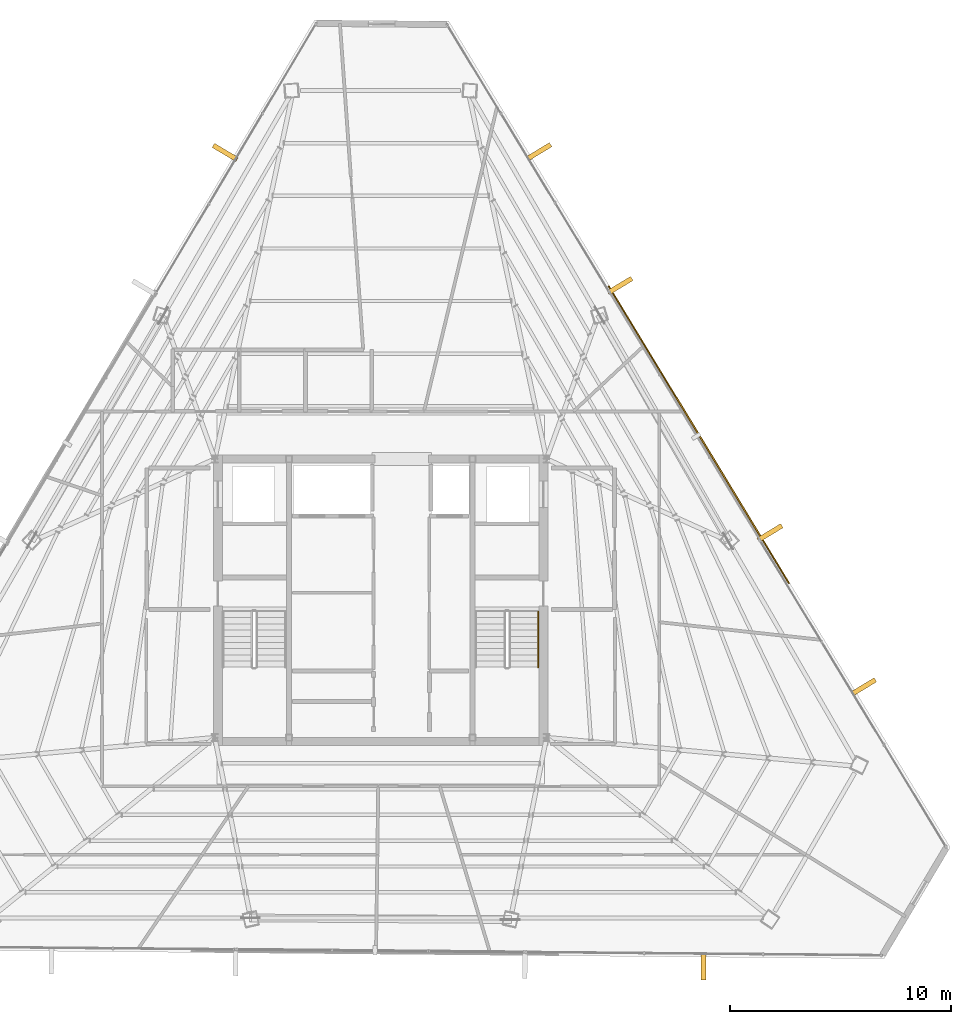
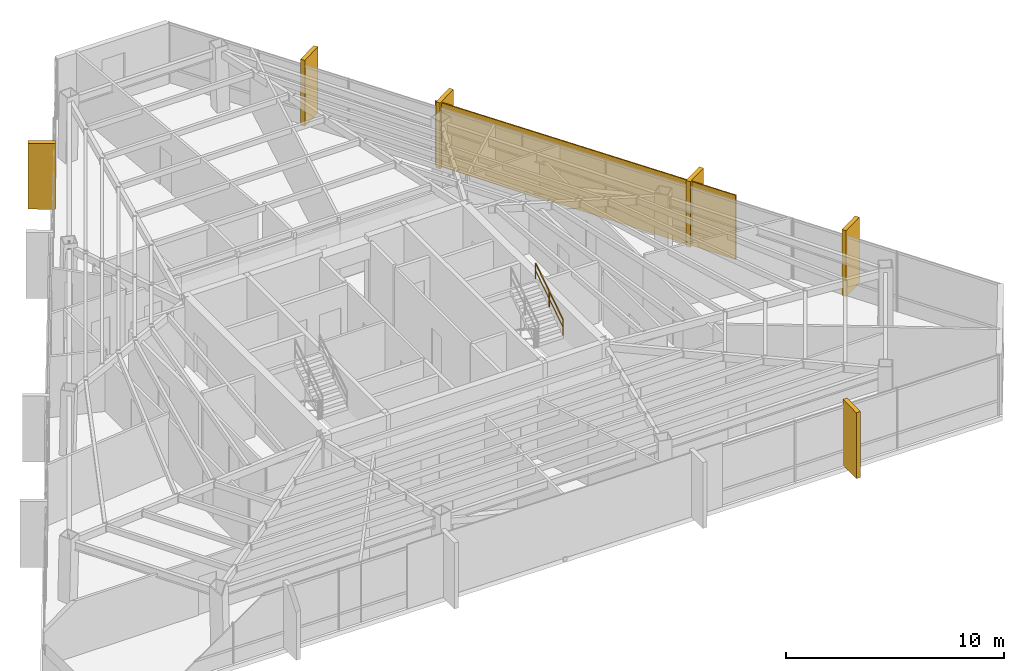
# One storey, part 47 of 47: 6 coverings, 1 railing, 1 shading device.
"""IFC4 building model written with IfcOpenShell, lengths in metres."""

from ifc_helpers import new_model, si_unit, direction, frame, origin, origin_2d, place, context, subcontext, project, spatial, rectangle, extrude, source, transform, mapped, material, layer, layer_set, type_object, type_shapes, element, save


model = new_model("IFC4")

# Units and contexts
model_context = context("Model", 3, precision=1e-05, world=origin(), true_north=direction((0.0, 1.0)))
body_context = subcontext(model_context, "Body", "Model", "MODEL_VIEW")
ifc_project = project(units=[si_unit("LENGTHUNIT", "METRE"), si_unit("AREAUNIT", "SQUARE_METRE"), si_unit("VOLUMEUNIT", "CUBIC_METRE"), si_unit("PLANEANGLEUNIT", "RADIAN"), si_unit("MASSUNIT", "GRAM", prefix="KILO")], contexts=[model_context])

# Site, building, storey
site_placement = place(None, origin())
site = spatial("IfcSite", under=ifc_project, at=site_placement, CompositionType="ELEMENT")
building_placement = place(site_placement, origin())
building = spatial("IfcBuilding", under=site, at=building_placement, Name="Caelisora Broadcast Tower", CompositionType="ELEMENT")
storey_placement = place(building_placement, frame((0.0, 0.0, 248.10009765625)))
storey = spatial("IfcBuildingStorey", under=building, at=storey_placement, Name="L65", CompositionType="ELEMENT", Elevation=248.10009765625)

# Railing
ifc_material_1 = material(Name="Stainless Steel Grade 316 Tubular Handrail", Category="steel")
ifc_layer_1 = layer(ifc_material_1, 0.048095703125, Name="Stainless Steel Grade 316 Tubular Handrail")
ifc_layer_set_1 = layer_set([ifc_layer_1], Name="Stainless Steel Grade 316 Tubular Handrail")
railing_type = type_object("IfcRailingType", Name="HR-1", PredefinedType="HANDRAIL", material=ifc_layer_set_1)
railing_placement = place(storey_placement, frame((45.1298828125, 20.580078125, 2.00732421875)))
element("IfcRailing", 1, at=railing_placement, inside=storey, type_object=railing_type, Name="L65 ST-2 stair handrail 2", PredefinedType="HANDRAIL", context=body_context, shape_type="SweptSolid", body=[
    extrude(rectangle(XDim=0.048095703125, YDim=0.048095703125, at=origin_2d()), frame((0.0, 0.0, 0.8759765625), z_axis=(0.0, 0.837749427056, 0.546054848405), x_axis=(-1.0, 0.0, 0.0)), (0.0, 0.0, 1.0), 3.008056640625),
    extrude(rectangle(XDim=0.03125, YDim=0.03125, at=origin_2d()), frame((0.0, 0.0, 0.449951171875), z_axis=(0.0, 0.837749427056, 0.546054848405), x_axis=(-1.0, 0.0, 0.0)), (0.0, 0.0, 1.0), 3.008056640625),
    extrude(rectangle(XDim=0.0419921875, YDim=0.0419921875, at=origin_2d()), origin(), (0.0, 0.0, 1.0), 0.851806640625),
    extrude(rectangle(XDim=0.0419921875, YDim=0.0419921875, at=origin_2d()), frame((0.0, 1.260009765625, 0.8212890625)), (0.0, 0.0, 1.0), 0.851806640625),
    extrude(rectangle(XDim=0.0419921875, YDim=0.0419921875, at=origin_2d()), frame((0.0, 2.52001953125, 1.642578125)), (0.0, 0.0, 1.0), 0.851806640625),
])

# Coverings
ifc_material_2 = material(Name="Kiln-Fired Terracotta Spandrel Rainscreen Cladding", Category="ceramic")
ifc_layer_2 = layer(ifc_material_2, 0.044921875, Name="Kiln-Fired Terracotta Spandrel Rainscreen Cladding")
ifc_layer_set_2 = layer_set([ifc_layer_2], Name="Kiln-Fired Terracotta Spandrel Rainscreen Cladding")
covering_type = type_object("IfcCoveringType", Name="CL-1", PredefinedType="CLADDING", material=ifc_layer_set_2)
shared_shape_1 = source(origin(), body_context, "Body", "SweptSolid", [
    extrude(rectangle(XDim=0.219970703125, YDim=1.25, at=origin_2d()), origin(), (0.0, 0.0, 1.0), 3.68994140625),
])
type_shapes(covering_type, [shared_shape_1])
for number, where, z_axis, x_axis, name in (
    (2, (45.152587890625, 43.89111328125, -0.02001953125), (0.0, 0.0, 1.0), (0.518773258161, -0.854911870673, 0.0), "L65 vertical solar fin cladding #1-1"),
    (3, (48.82421875, 37.8408203125, -0.02001953125), (0.0, 0.0, 1.0), (0.518773258161, -0.854911870673, 0.0), "L65 vertical solar fin cladding #1-2"),
    (4, (55.611083984375, 26.6572265625, -0.02001953125), (0.0, 0.0, 1.0), (0.518773258161, -0.854911870673, 0.0), "L65 vertical solar fin cladding #1-3"),
    (5, (59.8408203125, 19.6875, -0.02001953125), (0.0, 0.0, 1.0), (0.518773258161, -0.854911870673, 0.0), "L65 vertical solar fin cladding #1-4"),
    (6, (52.6044921875, 7.06005859375, -0.02001953125), (0.0, 0.0, 1.0), (-0.999958816008, 0.009075587519, 0.0), "L65 vertical solar fin cladding #2-1"),
    (7, (30.96875, 43.86328125, -0.02001953125), (0.0, 0.0, 1.0), (0.511143083575, 0.859495635889, 0.0), "L65 vertical solar fin cladding #3-4"),
):
    element("IfcCovering", number, at=place(storey_placement, frame(where, z_axis=z_axis, x_axis=x_axis)), inside=storey, type_object=covering_type, Name=name, PredefinedType="CLADDING", context=body_context, shape_type="MappedRepresentation", body=[
        mapped(shared_shape_1, transform((0.0, 0.0, 0.0), scale=1.0)),
    ])

# Shading device
ifc_material_3 = material(Name="Perforated Glazed Terracotta Baguette Solar Screen", Category="ceramic")
ifc_layer_3 = layer(ifc_material_3, 0.06494140625, Name="Perforated Glazed Terracotta Baguette Solar Screen")
ifc_layer_set_3 = layer_set([ifc_layer_3], Name="Perforated Glazed Terracotta Baguette Solar Screen")
shading_device_type = type_object("IfcShadingDeviceType", Name="SS-1", PredefinedType="USERDEFINED", material=ifc_layer_set_3)
shared_shape_2 = source(origin(), body_context, "Body", "SweptSolid", [
    extrude(rectangle(XDim=15.738037109375, YDim=0.06494140625, at=origin_2d()), origin(), (0.0, 0.0, 1.0), 3.590087890625),
])
type_shapes(shading_device_type, [shared_shape_2])
shading_device_placement = place(storey_placement, frame((52.392822265625, 31.09326171875, 0.0), z_axis=(0.0, 0.0, 1.0), x_axis=(-0.518773258161, 0.854911870673, 0.0)))
element("IfcShadingDevice", 8, at=shading_device_placement, inside=storey, type_object=shading_device_type, Name="L65 perforated terracotta solar screen #3", ObjectType="SOLAR SCREEN", PredefinedType="USERDEFINED", context=body_context, shape_type="MappedRepresentation", body=[
    mapped(shared_shape_2, transform((0.0, 0.0, 0.0), scale=1.0)),
])

save(model, "model.ifc")
